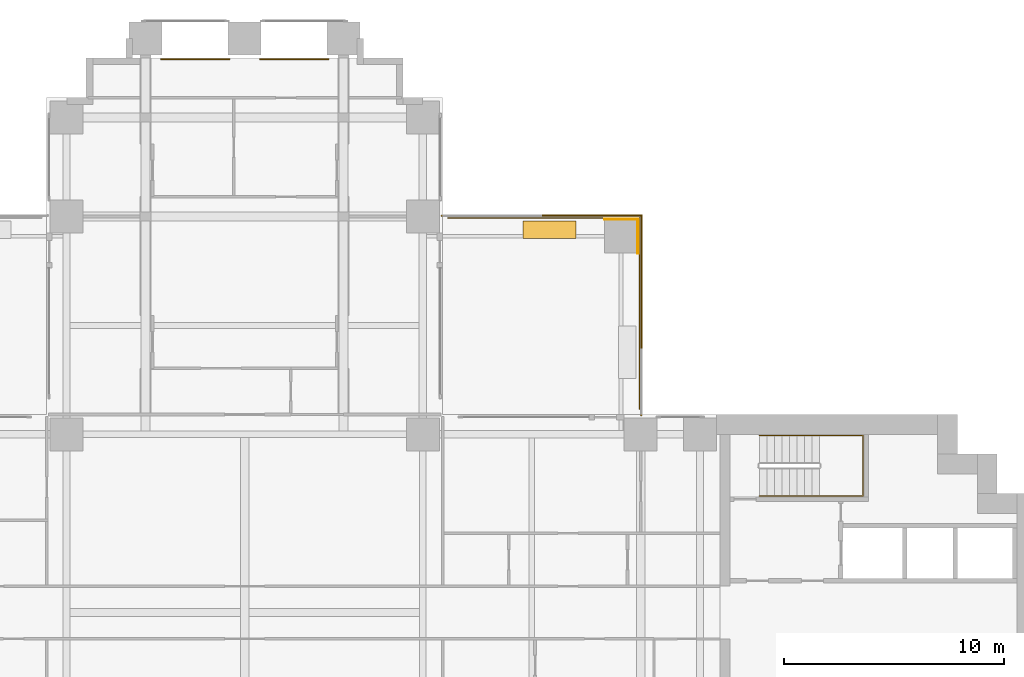
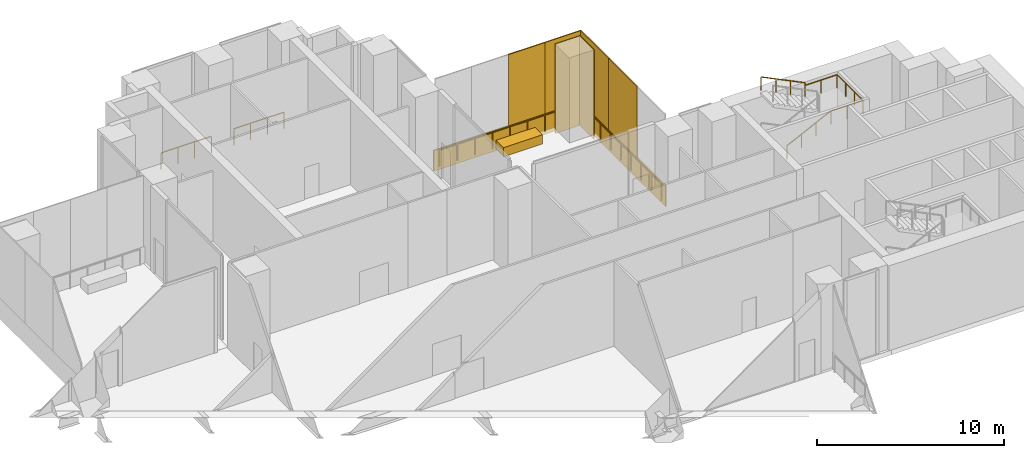
# One storey, part 17 of 17: 8 coverings, 4 railings.
"""IFC4 building model written with IfcOpenShell, lengths in metres."""

from ifc_helpers import new_model, si_unit, direction, frame, origin, origin_2d, place, context, subcontext, project, spatial, polyline, rectangle, outline, extrude, material, layer, layer_set, type_object, element, save


model = new_model("IFC4")

# Units and contexts
model_context = context("Model", 3, precision=1e-05, world=origin(), true_north=direction((0.0, 1.0)))
body_context = subcontext(model_context, "Body", "Model", "MODEL_VIEW")
ifc_project = project(units=[si_unit("LENGTHUNIT", "METRE"), si_unit("AREAUNIT", "SQUARE_METRE"), si_unit("VOLUMEUNIT", "CUBIC_METRE"), si_unit("PLANEANGLEUNIT", "RADIAN"), si_unit("MASSUNIT", "GRAM", prefix="KILO")], contexts=[model_context])

# Site, building, storey
site_placement = place(None, origin())
site = spatial("IfcSite", under=ifc_project, at=site_placement, CompositionType="ELEMENT")
building_placement = place(site_placement, origin())
building = spatial("IfcBuilding", under=site, at=building_placement, Name="Perihelion Cross Residences", CompositionType="ELEMENT")
storey_placement = place(building_placement, frame((0.0, 0.0, 21.0)))
storey = spatial("IfcBuildingStorey", under=building, at=storey_placement, Name="L02", CompositionType="ELEMENT", Elevation=21.0)

# Railings
ifc_material_1 = material(Name="Bronze anodised aluminium", Category="aluminium")
railing_type_1 = type_object("IfcRailingType", Name="Balcony guard 1100", PredefinedType="GUARDRAIL", material=ifc_material_1)
railing_1_placement = place(storey_placement, frame((9.25, 17.93994140625, 0.0)))
element("IfcRailing", 1, at=railing_1_placement, inside=storey, type_object=railing_type_1, Name="Guard GU1 L02 pocket north-east 1", PredefinedType="GUARDRAIL", context=body_context, shape_type="SweptSolid", body=[
    extrude(rectangle(XDim=0.048095703125, YDim=0.048095703125, at=origin_2d()), frame((0.0, 0.0, 1.076171875), z_axis=(1.0, 0.0, 0.0), x_axis=(0.0, 1.0, 0.0)), (0.0, 0.0, 1.0), 8.68994140625),
    extrude(rectangle(XDim=0.048095703125, YDim=0.048095703125, at=origin_2d()), frame((8.68994140625, 0.0, 1.076171875), z_axis=(0.0, -1.0, 0.0), x_axis=(1.0, 0.0, 0.0)), (0.0, 0.0, 1.0), 8.68994140625),
    extrude(rectangle(XDim=0.0419921875, YDim=0.0419921875, at=origin_2d()), origin(), (0.0, 0.0, 1.0), 1.052001953125),
    extrude(rectangle(XDim=0.0419921875, YDim=0.0419921875, at=origin_2d()), frame((1.086181640625, 0.0, 0.0)), (0.0, 0.0, 1.0), 1.052001953125),
    extrude(rectangle(XDim=0.0419921875, YDim=0.0419921875, at=origin_2d()), frame((2.17236328125, 0.0, 0.0)), (0.0, 0.0, 1.0), 1.052001953125),
    extrude(rectangle(XDim=0.0419921875, YDim=0.0419921875, at=origin_2d()), frame((3.2587890625, 0.0, 0.0)), (0.0, 0.0, 1.0), 1.052001953125),
    extrude(rectangle(XDim=0.0419921875, YDim=0.0419921875, at=origin_2d()), frame((4.344970703125, 0.0, 0.0)), (0.0, 0.0, 1.0), 1.052001953125),
    extrude(rectangle(XDim=0.0419921875, YDim=0.0419921875, at=origin_2d()), frame((5.43115234375, 0.0, 0.0)), (0.0, 0.0, 1.0), 1.052001953125),
    extrude(rectangle(XDim=0.0419921875, YDim=0.0419921875, at=origin_2d()), frame((6.517578125, 0.0, 0.0)), (0.0, 0.0, 1.0), 1.052001953125),
    extrude(rectangle(XDim=0.0419921875, YDim=0.0419921875, at=origin_2d()), frame((7.603759765625, 0.0, 0.0)), (0.0, 0.0, 1.0), 1.052001953125),
    extrude(rectangle(XDim=0.0419921875, YDim=0.0419921875, at=origin_2d()), frame((8.68994140625, 0.0, 0.0)), (0.0, 0.0, 1.0), 1.052001953125),
    extrude(rectangle(XDim=0.0419921875, YDim=0.0419921875, at=origin_2d()), frame((8.68994140625, -1.086181640625, 0.0)), (0.0, 0.0, 1.0), 1.052001953125),
    extrude(rectangle(XDim=0.0419921875, YDim=0.0419921875, at=origin_2d()), frame((8.68994140625, -2.17236328125, 0.0)), (0.0, 0.0, 1.0), 1.052001953125),
    extrude(rectangle(XDim=0.0419921875, YDim=0.0419921875, at=origin_2d()), frame((8.68994140625, -3.2587890625, 0.0)), (0.0, 0.0, 1.0), 1.052001953125),
    extrude(rectangle(XDim=0.0419921875, YDim=0.0419921875, at=origin_2d()), frame((8.68994140625, -4.344970703125, 0.0)), (0.0, 0.0, 1.0), 1.052001953125),
    extrude(rectangle(XDim=0.0419921875, YDim=0.0419921875, at=origin_2d()), frame((8.68994140625, -5.43115234375, 0.0)), (0.0, 0.0, 1.0), 1.052001953125),
    extrude(rectangle(XDim=0.0419921875, YDim=0.0419921875, at=origin_2d()), frame((8.68994140625, -6.517578125, 0.0)), (0.0, 0.0, 1.0), 1.052001953125),
    extrude(rectangle(XDim=0.0419921875, YDim=0.0419921875, at=origin_2d()), frame((8.68994140625, -7.603759765625, 0.0)), (0.0, 0.0, 1.0), 1.052001953125),
    extrude(rectangle(XDim=0.0419921875, YDim=0.0419921875, at=origin_2d()), frame((8.68994140625, -8.68994140625, 0.0)), (0.0, 0.0, 1.0), 1.052001953125),
])
for number, where, name in (
    (2, (3.800048828125, 25.139892578125, 0.0), "Guard GU1 L02 edge 1 1 1"),
    (3, (-0.699951171875, 25.139892578125, 0.0), "Guard GU1 L02 edge 1 1 2"),
):
    element("IfcRailing", number, at=place(storey_placement, frame(where)), inside=storey, type_object=railing_type_1, Name=name, PredefinedType="GUARDRAIL", context=body_context, shape_type="SweptSolid", body=[
        extrude(rectangle(XDim=0.048095703125, YDim=0.048095703125, at=origin_2d()), frame((0.0, 0.0, 1.076171875), z_axis=(-1.0, 0.0, 0.0), x_axis=(0.0, -1.0, 0.0)), (0.0, 0.0, 1.0), 3.10009765625),
        extrude(rectangle(XDim=0.0419921875, YDim=0.0419921875, at=origin_2d()), origin(), (0.0, 0.0, 1.0), 1.052001953125),
        extrude(rectangle(XDim=0.0419921875, YDim=0.0419921875, at=origin_2d()), frame((-1.033447265625, 0.0, 0.0)), (0.0, 0.0, 1.0), 1.052001953125),
        extrude(rectangle(XDim=0.0419921875, YDim=0.0419921875, at=origin_2d()), frame((-2.066650390625, 0.0, 0.0)), (0.0, 0.0, 1.0), 1.052001953125),
        extrude(rectangle(XDim=0.0419921875, YDim=0.0419921875, at=origin_2d()), frame((-3.10009765625, 0.0, 0.0)), (0.0, 0.0, 1.0), 1.052001953125),
    ])

# Coverings
ifc_material_2 = material(Name="Bronze anodised aluminium", Category="aluminium")
ifc_layer_1 = layer(ifc_material_2, 0.0400390625)
ifc_layer_set_1 = layer_set([ifc_layer_1], Name="Bronze column casing 40")
covering_type_1 = type_object("IfcCoveringType", Name="Bronze column casing 40", PredefinedType="CLADDING", material=ifc_layer_set_1)
covering_1_placement = place(storey_placement, frame((17.8701171875, 17.10009765625, -0.300048828125), z_axis=(0.0, 0.0, 1.0), x_axis=(1.0, 0.0, 0.0)))
element("IfcCovering", 4, at=covering_1_placement, inside=storey, type_object=covering_type_1, Name="Cladding CC1 L02 casing east-west no. 4", PredefinedType="CLADDING", context=body_context, shape_type="SweptSolid", body=[
    extrude(rectangle(XDim=0.0400390625, YDim=1.580078125, at=origin_2d()), origin(), (0.0, 0.0, 1.0), 5.85009765625),
])
covering_2_placement = place(storey_placement, frame((17.10009765625, 17.8701171875, -0.300048828125), z_axis=(0.0, 0.0, 1.0), x_axis=(1.0, 0.0, 0.0)))
element("IfcCovering", 5, at=covering_2_placement, inside=storey, type_object=covering_type_1, Name="Cladding CC1 L02 casing north-south no. 4", PredefinedType="CLADDING", context=body_context, shape_type="SweptSolid", body=[
    extrude(rectangle(XDim=1.5, YDim=0.0400390625, at=origin_2d()), origin(), (0.0, 0.0, 1.0), 5.85009765625),
])
ifc_material_3 = material(Name="Precast concrete C40/50", Category="concrete")
covering_type_2 = type_object("IfcCoveringType", Name="Planter box 2400", PredefinedType="USERDEFINED", material=ifc_material_3)
covering_3_placement = place(storey_placement, frame((13.85009765625, 17.389892578125, 0.0), z_axis=(0.0, 0.0, 1.0), x_axis=(1.0, 0.0, 0.0)))
element("IfcCovering", 6, at=covering_3_placement, inside=storey, type_object=covering_type_2, Name="Planter PT1 L02 pocket north-east 1", ObjectType="PLANTER", PredefinedType="USERDEFINED", context=body_context, shape_type="SweptSolid", body=[
    extrude(rectangle(XDim=2.39990234375, YDim=0.800048828125, at=origin_2d()), origin(), (0.0, 0.0, 1.0), 0.60009765625),
])
ifc_material_4 = material(Name="Bronze anodised aluminium", Category="aluminium")
ifc_layer_2 = layer(ifc_material_4, 0.070068359375)
ifc_layer_set_2 = layer_set([ifc_layer_2], Name="Pocket fascia 1350")
covering_type_3 = type_object("IfcCoveringType", Name="Pocket fascia 1350", PredefinedType="CLADDING", material=ifc_layer_set_2)
covering_4_placement = place(storey_placement, frame((0.0, 0.0, -0.25)))
element("IfcCovering", 7, at=covering_4_placement, inside=storey, type_object=covering_type_3, Name="Fascia BF2 L02 pocket north-east 1", PredefinedType="CLADDING", context=body_context, shape_type="SweptSolid", body=[
    extrude(outline(polyline([(8.929931640625, 18.0), (9.0, 18.0), (9.0, 18.0), (18.0, 18.0), (18.0, 9.0), (18.0, 9.0), (18.0, 8.929931640625), (18.070068359375, 8.929931640625), (18.070068359375, 18.070068359375), (8.929931640625, 18.070068359375), (8.929931640625, 18.0)])), origin(), (0.0, 0.0, 1.0), 1.35009765625),
])
ifc_material_5 = material(Name="Bronze perforated aluminium", Category="aluminium")
ifc_layer_3 = layer(ifc_material_5, 0.070068359375)
ifc_layer_set_3 = layer_set([ifc_layer_3], Name="Pocket solar screen, bronze perforated")
covering_type_4 = type_object("IfcCoveringType", Name="Pocket solar screen, bronze perforated", PredefinedType="CLADDING", material=ifc_layer_set_3)
covering_5_placement = place(storey_placement, frame((0.0, 0.0, 1.10009765625)))
element("IfcCovering", 8, at=covering_5_placement, inside=storey, type_object=covering_type_4, Name="Solar screen PS1 L02 pocket north-east no. 2", PredefinedType="CLADDING", context=body_context, shape_type="SweptSolid", body=[
    extrude(outline(polyline([(18.070068359375, 12.0), (18.070068359375, 15.0), (18.0, 15.0), (18.0, 12.0), (18.070068359375, 12.0)])), origin(), (0.0, 0.0, 1.0), 4.64990234375),
])
covering_6_placement = place(storey_placement, frame((0.0, 0.0, 1.10009765625)))
element("IfcCovering", 9, at=covering_6_placement, inside=storey, type_object=covering_type_4, Name="Solar screen PS1 L02 pocket north-east no. 3", PredefinedType="CLADDING", context=body_context, shape_type="SweptSolid", body=[
    extrude(outline(polyline([(18.070068359375, 15.0), (18.070068359375, 18.0), (18.0, 18.0), (18.0, 15.0), (18.070068359375, 15.0)])), origin(), (0.0, 0.0, 1.0), 4.64990234375),
])
covering_7_placement = place(storey_placement, frame((0.0, 0.0, 1.10009765625)))
element("IfcCovering", 10, at=covering_7_placement, inside=storey, type_object=covering_type_4, Name="Solar screen PS1 L02 pocket north-east no. 6", PredefinedType="CLADDING", context=body_context, shape_type="SweptSolid", body=[
    extrude(outline(polyline([(15.802490234375, 18.0), (15.802490234375, 18.070068359375), (13.534912109375, 18.070068359375), (13.534912109375, 18.0), (15.802490234375, 18.0)])), origin(), (0.0, 0.0, 1.0), 4.64990234375),
])
covering_8_placement = place(storey_placement, frame((0.0, 0.0, 1.10009765625)))
element("IfcCovering", 11, at=covering_8_placement, inside=storey, type_object=covering_type_4, Name="Solar screen PS1 L02 pocket north-east no. 7", PredefinedType="CLADDING", context=body_context, shape_type="SweptSolid", body=[
    extrude(outline(polyline([(18.070068359375, 18.0), (18.070068359375, 18.070068359375), (15.802490234375, 18.070068359375), (15.802490234375, 18.0), (18.070068359375, 18.0)])), origin(), (0.0, 0.0, 1.0), 4.64990234375),
])

# Railing
ifc_material_6 = material(Name="Stainless steel", Category="steel")
railing_type_2 = type_object("IfcRailingType", Name="Stair handrail 900", PredefinedType="HANDRAIL", material=ifc_material_6)
railing_2_placement = place(storey_placement, frame((23.39990234375, 5.300048828125, 3.166748046875)))
element("IfcRailing", 12, at=railing_2_placement, inside=storey, type_object=railing_type_2, Name="L02 ST-E1 stair handrail 2", PredefinedType="HANDRAIL", context=body_context, shape_type="SweptSolid", body=[
    extrude(rectangle(XDim=0.048095703125, YDim=0.048095703125, at=origin_2d()), frame((0.0, 0.0, 0.8759765625), z_axis=(0.897945078525, 0.0, 0.440107527717), x_axis=(0.0, 1.0, 0.0)), (0.0, 0.0, 1.0), 3.029296875),
    extrude(rectangle(XDim=0.048095703125, YDim=0.048095703125, at=origin_2d()), frame((2.72021484375, 0.0, 2.208984375), z_axis=(1.0, 0.0, 0.0), x_axis=(0.0, 1.0, 0.0)), (0.0, 0.0, 1.0), 1.97998046875),
    extrude(rectangle(XDim=0.048095703125, YDim=0.048095703125, at=origin_2d()), frame((4.7001953125, 0.0, 2.208984375), z_axis=(0.0, 1.0, 0.0), x_axis=(-1.0, 0.0, 0.0)), (0.0, 0.0, 1.0), 2.75),
    extrude(rectangle(XDim=0.048095703125, YDim=0.048095703125, at=origin_2d()), frame((4.7001953125, 2.75, 2.208984375), z_axis=(-1.0, 0.0, 0.0), x_axis=(0.0, -1.0, 0.0)), (0.0, 0.0, 1.0), 1.97998046875),
    extrude(rectangle(XDim=0.048095703125, YDim=0.048095703125, at=origin_2d()), frame((2.72021484375, 2.75, 2.208984375), z_axis=(0.0, 0.0, 1.0), x_axis=(1.0, 0.0, 0.0)), (0.0, 0.0, 1.0), 0.166748046875),
    extrude(rectangle(XDim=0.048095703125, YDim=0.048095703125, at=origin_2d()), frame((2.72021484375, 2.75, 2.3759765625), z_axis=(-0.897945078525, 0.0, 0.440107527717), x_axis=(0.0, -1.0, 0.0)), (0.0, 0.0, 1.0), 3.029296875),
    extrude(rectangle(XDim=0.0419921875, YDim=0.0419921875, at=origin_2d()), origin(), (0.0, 0.0, 1.0), 0.851806640625),
    extrude(rectangle(XDim=0.0419921875, YDim=0.0419921875, at=origin_2d()), frame((0.90673828125, 0.0, 0.4443359375)), (0.0, 0.0, 1.0), 0.851806640625),
    extrude(rectangle(XDim=0.0419921875, YDim=0.0419921875, at=origin_2d()), frame((1.8134765625, 0.0, 0.888916015625)), (0.0, 0.0, 1.0), 0.851806640625),
    extrude(rectangle(XDim=0.0419921875, YDim=0.0419921875, at=origin_2d()), frame((2.72021484375, 0.0, 1.333251953125)), (0.0, 0.0, 1.0), 0.851806640625),
    extrude(rectangle(XDim=0.0419921875, YDim=0.0419921875, at=origin_2d()), frame((3.710205078125, 0.0, 1.333251953125)), (0.0, 0.0, 1.0), 0.851806640625),
    extrude(rectangle(XDim=0.0419921875, YDim=0.0419921875, at=origin_2d()), frame((4.7001953125, 0.0, 1.333251953125)), (0.0, 0.0, 1.0), 0.851806640625),
    extrude(rectangle(XDim=0.0419921875, YDim=0.0419921875, at=origin_2d()), frame((4.7001953125, 0.916748046875, 1.333251953125)), (0.0, 0.0, 1.0), 0.851806640625),
    extrude(rectangle(XDim=0.0419921875, YDim=0.0419921875, at=origin_2d()), frame((4.7001953125, 1.833251953125, 1.333251953125)), (0.0, 0.0, 1.0), 0.851806640625),
    extrude(rectangle(XDim=0.0419921875, YDim=0.0419921875, at=origin_2d()), frame((4.7001953125, 2.75, 1.333251953125)), (0.0, 0.0, 1.0), 0.851806640625),
    extrude(rectangle(XDim=0.0419921875, YDim=0.0419921875, at=origin_2d()), frame((3.710205078125, 2.75, 1.333251953125)), (0.0, 0.0, 1.0), 0.851806640625),
    extrude(rectangle(XDim=0.0419921875, YDim=0.0419921875, at=origin_2d()), frame((2.72021484375, 2.75, 1.333251953125)), (0.0, 0.0, 1.0), 0.851806640625),
    extrude(rectangle(XDim=0.0419921875, YDim=0.0419921875, at=origin_2d()), frame((2.72021484375, 2.75, 1.5)), (0.0, 0.0, 1.0), 0.851806640625),
    extrude(rectangle(XDim=0.0419921875, YDim=0.0419921875, at=origin_2d()), frame((1.8134765625, 2.75, 1.9443359375)), (0.0, 0.0, 1.0), 0.851806640625),
    extrude(rectangle(XDim=0.0419921875, YDim=0.0419921875, at=origin_2d()), frame((0.90673828125, 2.75, 2.388916015625)), (0.0, 0.0, 1.0), 0.851806640625),
    extrude(rectangle(XDim=0.0419921875, YDim=0.0419921875, at=origin_2d()), frame((0.0, 2.75, 2.833251953125)), (0.0, 0.0, 1.0), 0.851806640625),
])

save(model, "model.ifc")
